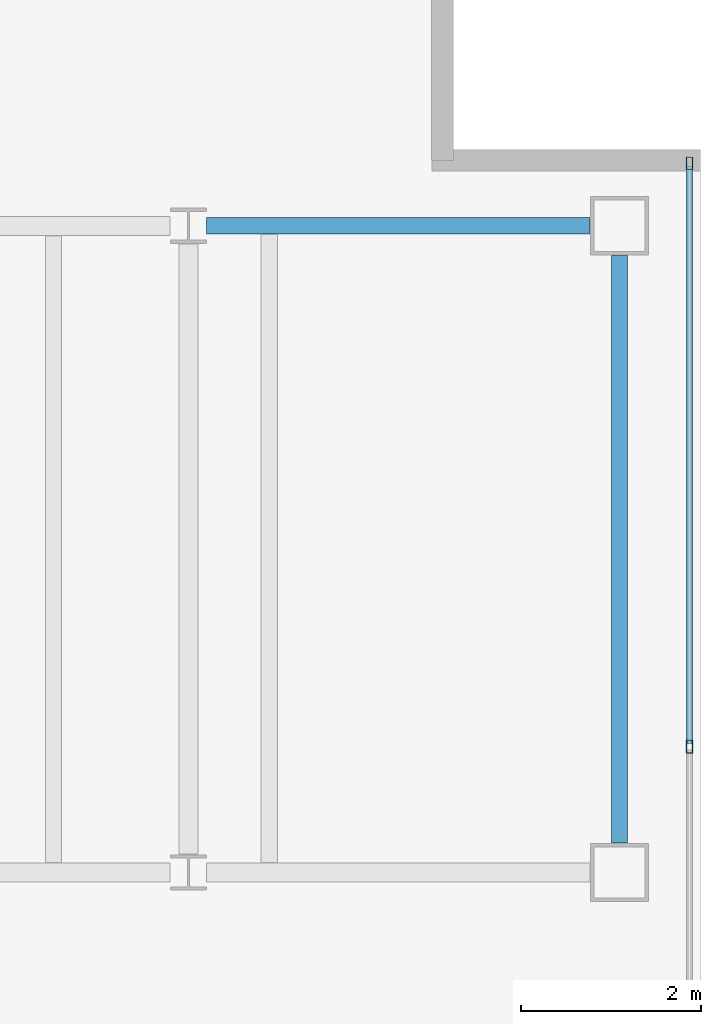
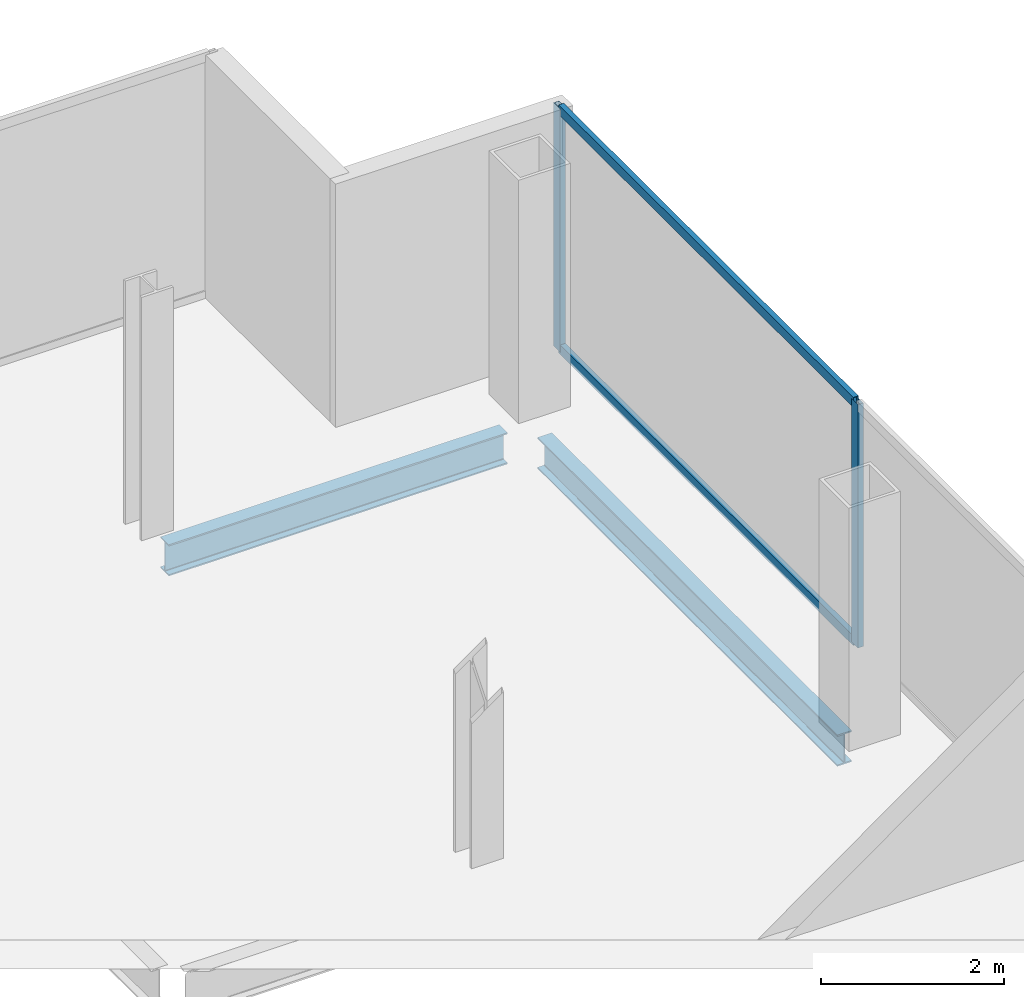
# One storey, part 16 of 24: 4 members, 2 beams, 1 element without a shape of its own.
"""IFC4 building model written with IfcOpenShell, lengths in metres."""

from ifc_helpers import new_model, si_unit, direction, frame, origin, origin_2d, place, context, subcontext, project, spatial, hollow_rectangle, i_section, extrude, material, material_profile, profile_set, type_object, element, aggregate, save


model = new_model("IFC4")

# Units and contexts
model_context = context("Model", 3, precision=1e-05, world=origin(), true_north=direction((0.0, 1.0)))
body_context = subcontext(model_context, "Body", "Model", "MODEL_VIEW")
ifc_project = project(units=[si_unit("LENGTHUNIT", "METRE"), si_unit("AREAUNIT", "SQUARE_METRE"), si_unit("VOLUMEUNIT", "CUBIC_METRE"), si_unit("PLANEANGLEUNIT", "RADIAN"), si_unit("MASSUNIT", "GRAM", prefix="KILO")], contexts=[model_context])

# Site, building, storey
site_placement = place(None, origin())
site = spatial("IfcSite", under=ifc_project, at=site_placement, CompositionType="ELEMENT")
building_placement = place(site_placement, origin())
building = spatial("IfcBuilding", under=site, at=building_placement, Name="Cobrela Telecom Tower", CompositionType="ELEMENT")
storey_placement = place(building_placement, frame((0.0, 0.0, 248.14990234375)))
storey = spatial("IfcBuildingStorey", under=building, at=storey_placement, Name="L64", CompositionType="ELEMENT", Elevation=248.14990234375)

# Beams
ifc_material_1 = material(Name="Steel ASTM A992 Grade 50", Category="steel")
ifc_material_profile_1 = material_profile(ifc_material_1, i_section(OverallWidth=0.179931640625, OverallDepth=0.4169921875, WebThickness=0.010986328125, FlangeThickness=0.01806640625, FilletRadius=0.011962890625, at=origin_2d()), Name="W16X57")
ifc_profile_set_1 = profile_set([ifc_material_profile_1], Name="Steel ASTM A992 Grade 50")
beam_type = type_object("IfcBeamType", Name="BM-SPAND-06", PredefinedType="SPANDREL", material=ifc_profile_set_1)
beam_1_placement = place(storey_placement, frame((40.1044921875, 21.60009765625, -0.468505859375), z_axis=(1.0, 0.0, 0.0), x_axis=(0.0, 1.0, 0.0)))
element("IfcBeam", 1, at=beam_1_placement, inside=storey, type_object=beam_type, Name="L64 Perimeter Spandrel X14", PredefinedType="SPANDREL", context=body_context, shape_type="SweptSolid", body=[
    extrude(i_section(OverallWidth=0.179931640625, OverallDepth=0.4169921875, WebThickness=0.010986328125, FlangeThickness=0.01806640625, FilletRadius=0.011962890625, at=origin_2d()), origin(), (0.0, 0.0, 1.0), 4.265625),
])
beam_2_placement = place(storey_placement, frame((44.699951171875, 14.72998046875, -0.468505859375), z_axis=(0.0, 1.0, 0.0), x_axis=(-1.0, 0.0, 0.0)))
element("IfcBeam", 2, at=beam_2_placement, inside=storey, type_object=beam_type, Name="L64 Perimeter Spandrel Y34", PredefinedType="SPANDREL", context=body_context, shape_type="SweptSolid", body=[
    extrude(i_section(OverallWidth=0.179931640625, OverallDepth=0.4169921875, WebThickness=0.010986328125, FlangeThickness=0.01806640625, FilletRadius=0.011962890625, at=origin_2d()), origin(), (0.0, 0.0, 1.0), 6.5400390625),
])

# Curtain wall, members
ifc_material_2 = material(Name="Anodized Bronze Aluminium 6063-T6", Category="aluminium")
curtain_wall_type = type_object("IfcCurtainWallType", Name="CW-SYS-OFF-HI", PredefinedType="USERDEFINED", material=ifc_material_2)
curtain_wall_placement = place(storey_placement, origin())
curtain_wall = element("IfcCurtainWall", 3, at=curtain_wall_placement, inside=storey, type_object=curtain_wall_type, Name="L64 Unitised Bronze Curtain Wall 12", ObjectType="UNITISED CURTAIN WALL", PredefinedType="USERDEFINED")
ifc_material_profile_2 = material_profile(ifc_material_2, hollow_rectangle(XDim=0.070068359375, YDim=0.139892578125, WallThickness=0.00390625, at=origin_2d()), Name="ALU 70x140x4")
ifc_profile_set_2 = profile_set([ifc_material_profile_2], Name="Anodized Bronze Aluminium 6063-T6")
member_type_1 = type_object("IfcMemberType", Name="CW-SYS-OFF-HI-MUL", PredefinedType="MULLION", material=ifc_profile_set_2)
member_1_placement = place(storey_placement, frame((45.47998046875, 22.294921875, 0.0), z_axis=(0.0, 0.0, 1.0), x_axis=(1.0, 0.0, 0.0)))
member_1 = element("IfcMember", 4, at=member_1_placement, type_object=member_type_1, Name="CW-OFF-HI mullion 1", PredefinedType="MULLION", context=body_context, shape_type="SweptSolid", body=[
    extrude(hollow_rectangle(XDim=0.070068359375, YDim=0.139892578125, WallThickness=0.00390625, at=origin_2d()), origin(), (0.0, 0.0, 1.0), 3.239990234375),
])
member_2_placement = place(storey_placement, frame((45.47998046875, 15.800048828125, 0.0), z_axis=(0.0, 0.0, 1.0), x_axis=(1.0, 0.0, 0.0)))
member_2 = element("IfcMember", 5, at=member_2_placement, type_object=member_type_1, Name="CW-OFF-HI mullion 2", PredefinedType="MULLION", context=body_context, shape_type="SweptSolid", body=[
    extrude(hollow_rectangle(XDim=0.070068359375, YDim=0.139892578125, WallThickness=0.00390625, at=origin_2d()), origin(), (0.0, 0.0, 1.0), 3.239990234375),
])
ifc_material_profile_3 = material_profile(ifc_material_2, hollow_rectangle(XDim=0.06494140625, YDim=0.1298828125, WallThickness=0.00390625, at=origin_2d()), Name="ALU 65x130x4")
ifc_profile_set_3 = profile_set([ifc_material_profile_3], Name="Anodized Bronze Aluminium 6063-T6")
member_type_2 = type_object("IfcMemberType", Name="CW-SYS-OFF-HI-TRN", PredefinedType="USERDEFINED", material=ifc_profile_set_3)
member_3_placement = place(storey_placement, frame((45.47998046875, 22.260009765625, 0.03271484375), z_axis=(0.0, -1.0, 0.0), x_axis=(1.0, 0.0, 0.0)))
member_3 = element("IfcMember", 6, at=member_3_placement, type_object=member_type_2, Name="CW-OFF-HI transom 1.1", ObjectType="TRANSOM", PredefinedType="USERDEFINED", context=body_context, shape_type="SweptSolid", body=[
    extrude(hollow_rectangle(XDim=0.06494140625, YDim=0.1298828125, WallThickness=0.00390625, at=origin_2d()), origin(), (0.0, 0.0, 1.0), 6.425048828125),
])
member_4_placement = place(storey_placement, frame((45.47998046875, 22.260009765625, 3.20751953125), z_axis=(0.0, -1.0, 0.0), x_axis=(1.0, 0.0, 0.0)))
member_4 = element("IfcMember", 7, at=member_4_placement, type_object=member_type_2, Name="CW-OFF-HI transom 1.2", ObjectType="TRANSOM", PredefinedType="USERDEFINED", context=body_context, shape_type="SweptSolid", body=[
    extrude(hollow_rectangle(XDim=0.06494140625, YDim=0.1298828125, WallThickness=0.00390625, at=origin_2d()), origin(), (0.0, 0.0, 1.0), 6.425048828125),
])
aggregate(curtain_wall, [member_1, member_2, member_3, member_4])

save(model, "model.ifc")
